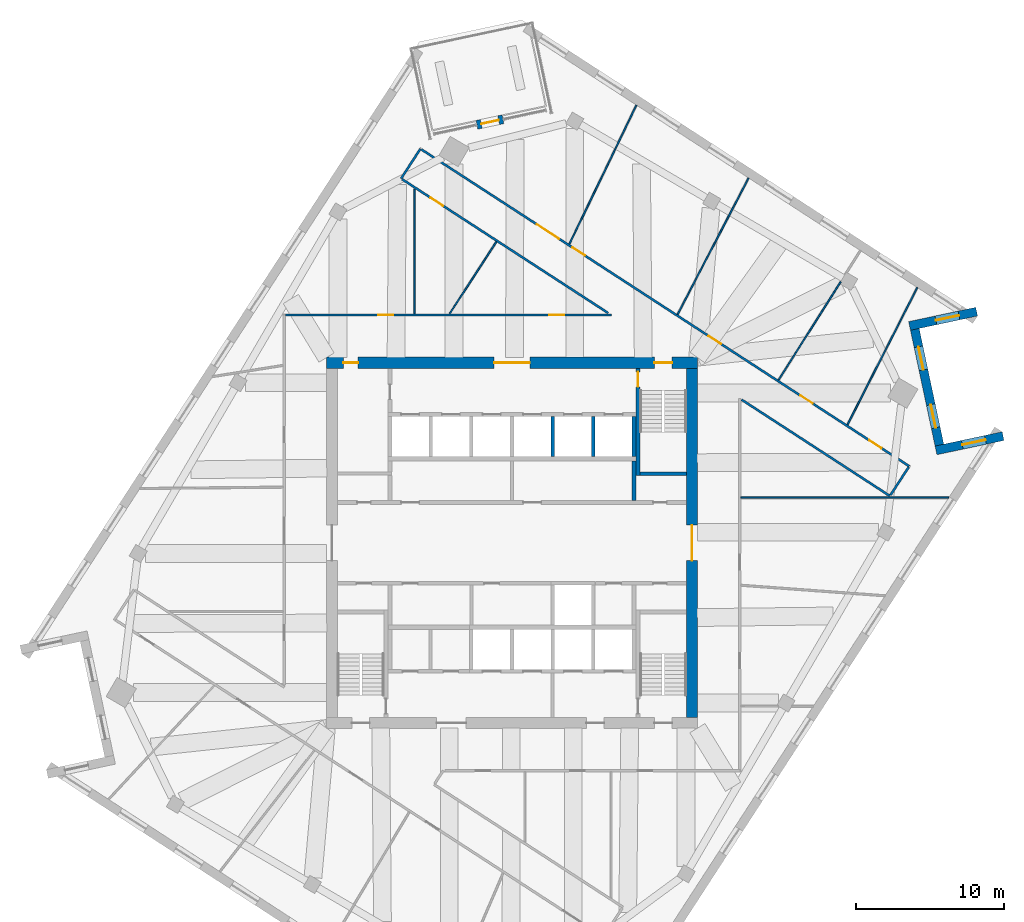
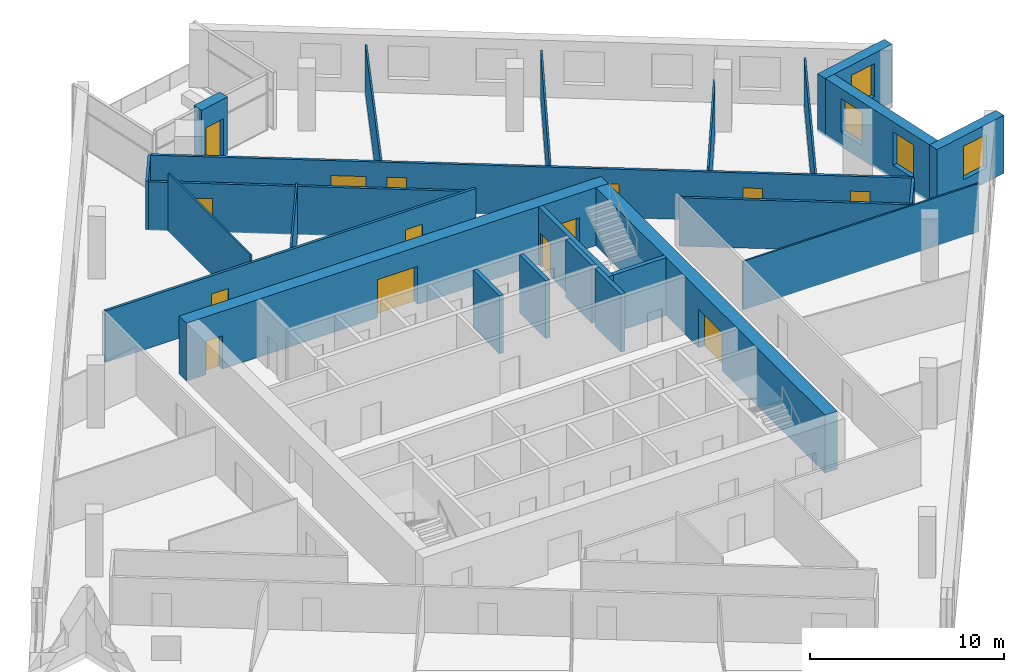
# One storey, part 9 of 12: 25 walls, 14 doors, 4 windows, 18 openings.
"""IFC4 building model written with IfcOpenShell, lengths in metres."""

from ifc_helpers import new_model, si_unit, direction, frame, frame_2d, origin, place, context, subcontext, project, spatial, rectangle, extrude, material, layer, layer_set, type_object, element, fill, save


model = new_model("IFC4")

# Units and contexts
model_context = context("Model", 3, precision=1e-05, world=origin(), true_north=direction((0.0, 1.0)))
body_context = subcontext(model_context, "Body", "Model", "MODEL_VIEW")
ifc_project = project(units=[si_unit("LENGTHUNIT", "METRE"), si_unit("AREAUNIT", "SQUARE_METRE"), si_unit("VOLUMEUNIT", "CUBIC_METRE"), si_unit("PLANEANGLEUNIT", "RADIAN"), si_unit("MASSUNIT", "GRAM", prefix="KILO")], contexts=[model_context])

# Site, building, storey
site_placement = place(None, origin())
site = spatial("IfcSite", under=ifc_project, at=site_placement, CompositionType="ELEMENT")
building_placement = place(site_placement, origin())
building = spatial("IfcBuilding", under=site, at=building_placement, Name="Dilmun Exchange Tower", CompositionType="ELEMENT")
storey_placement = place(building_placement, frame((0.0, 0.0, 254.89990234375)))
storey = spatial("IfcBuildingStorey", under=building, at=storey_placement, Name="L60", CompositionType="ELEMENT", Elevation=254.89990234375)

# Wall
ifc_material_1 = material(Name="Concrete C40/50", Category="concrete")
ifc_layer_1 = layer(ifc_material_1, 0.25)
ifc_layer_set_1 = layer_set([ifc_layer_1], Name="Concrete C40/50")
wall_type_1 = type_object("IfcWallType", Name="Core partition wall 250", PredefinedType="PARTITIONING", material=ifc_layer_set_1)
wall_1_placement = place(storey_placement, frame((8.25, 2.85498046875, 0.0), z_axis=(0.0, 0.0, 1.0), x_axis=(0.0, 1.0, 0.0)))
element("IfcWall", 1, at=wall_1_placement, inside=storey, type_object=wall_type_1, Name="L60 core partition wall 14", PredefinedType="PARTITIONING", context=body_context, shape_type="SweptSolid", body=[
    extrude(rectangle(XDim=2.68994140625, YDim=0.25, at=frame_2d((1.344970703125, 0.0))), origin(), (0.0, 0.0, 1.0), 3.64013671875),
])

# Wall, openings, doors
ifc_material_2 = material(Name="Concrete C50/60", Category="concrete")
ifc_layer_2 = layer(ifc_material_2, 0.75)
ifc_layer_set_2 = layer_set([ifc_layer_2], Name="Concrete C50/60")
wall_type_2 = type_object("IfcWallType", Name="Core shear wall 750 Concrete C50/60", PredefinedType="SHEAR", material=ifc_layer_set_2)
wall_2_placement = place(storey_placement, frame((-12.550048828125, 12.175048828125, 0.0), z_axis=(0.0, 0.0, 1.0), x_axis=(1.0, 0.0, 0.0)))
wall_2 = element("IfcWall", 2, at=wall_2_placement, inside=storey, type_object=wall_type_2, Name="L60 core shear wall N", PredefinedType="SHEAR", context=body_context, shape_type="SweptSolid", body=[
    extrude(rectangle(XDim=25.10009765625, YDim=0.75, at=frame_2d((12.550048828125, 0.0))), origin(), (0.0, 0.0, 1.0), 3.64013671875),
])
opening_1_placement = place(wall_2_placement, frame((11.35009765625, 0.0, 0.0)))
opening_1 = element("IfcOpeningElement", 3, at=opening_1_placement, cuts=wall_2, Name="Opening CD1", PredefinedType="OPENING", context=body_context, shape_type="SweptSolid", body=[
    extrude(rectangle(XDim=2.39990234375, YDim=2.39990234375, at=frame_2d((1.199951171875, 1.199951171875))), frame((0.0, 0.385009765625, 0.0), z_axis=(0.0, -1.0, 0.0), x_axis=(1.0, 0.0, 0.0)), (0.0, 0.0, 1.0), 0.77001953125),
])
opening_2_placement = place(wall_2_placement, frame((22.175048828125, 0.0, 0.0)))
opening_2 = element("IfcOpeningElement", 4, at=opening_2_placement, cuts=wall_2, Name="Opening CD3", PredefinedType="OPENING", context=body_context, shape_type="SweptSolid", body=[
    extrude(rectangle(XDim=1.199951171875, YDim=2.10009765625, at=frame_2d((0.60009765625, 1.050048828125))), frame((0.0, 0.385009765625, 0.0), z_axis=(0.0, -1.0, 0.0), x_axis=(1.0, 0.0, 0.0)), (0.0, 0.0, 1.0), 0.77001953125),
])
opening_3_placement = place(wall_2_placement, frame((1.14990234375, 0.0, 0.0)))
opening_3 = element("IfcOpeningElement", 5, at=opening_3_placement, cuts=wall_2, Name="Opening CD4", PredefinedType="OPENING", context=body_context, shape_type="SweptSolid", body=[
    extrude(rectangle(XDim=1.0, YDim=2.10009765625, at=frame_2d((0.5, 1.050048828125))), frame((0.0, 0.385009765625, 0.0), z_axis=(0.0, -1.0, 0.0), x_axis=(1.0, 0.0, 0.0)), (0.0, 0.0, 1.0), 0.77001953125),
])
ifc_material_3 = material(Name="Fire-rated steel door set", Category="steel")
door_type_1 = type_object("IfcDoorType", Name="Core lobby door 2400x2400", OperationType="DOUBLE_DOOR_DOUBLE_SWING", PredefinedType="DOOR", material=ifc_material_3)
door_1_placement = place(opening_1_placement, origin())
door_1 = element("IfcDoor", 6, at=door_1_placement, inside=storey, type_object=door_type_1, Name="L60 door North lift lobby", OperationType="SINGLE_SWING_LEFT", OverallHeight=2.39990234375, OverallWidth=2.39990234375, PredefinedType="DOOR", context=body_context, shape_type="SweptSolid", body=[
    extrude(rectangle(XDim=2.39990234375, YDim=2.39990234375, at=frame_2d((1.199951171875, 1.199951171875))), frame((0.0, 0.02490234375, 0.0), z_axis=(0.0, -1.0, 0.0), x_axis=(1.0, 0.0, 0.0)), (0.0, 0.0, 1.0), 0.050048828125),
])
fill(opening_1, door_1)
door_type_2 = type_object("IfcDoorType", Name="Core room door 1000x2100", OperationType="SINGLE_SWING_LEFT", PredefinedType="DOOR", material=ifc_material_3)
door_2_placement = place(opening_3_placement, origin())
door_2 = element("IfcDoor", 7, at=door_2_placement, inside=storey, type_object=door_type_2, Name="L60 door North-west core rooms", OperationType="SINGLE_SWING_LEFT", OverallHeight=2.10009765625, OverallWidth=1.0, PredefinedType="DOOR", context=body_context, shape_type="SweptSolid", body=[
    extrude(rectangle(XDim=1.0, YDim=2.10009765625, at=frame_2d((0.5, 1.050048828125))), frame((0.0, 0.02490234375, 0.0), z_axis=(0.0, -1.0, 0.0), x_axis=(1.0, 0.0, 0.0)), (0.0, 0.0, 1.0), 0.050048828125),
])
fill(opening_3, door_2)
door_type_3 = type_object("IfcDoorType", Name="Stair exit door 1200x2100", OperationType="SINGLE_SWING_LEFT", PredefinedType="DOOR", material=ifc_material_3)
door_3_placement = place(opening_2_placement, origin())
door_3 = element("IfcDoor", 8, at=door_3_placement, inside=storey, type_object=door_type_3, Name="L60 door Stair ST1", OperationType="SINGLE_SWING_LEFT", OverallHeight=2.10009765625, OverallWidth=1.199951171875, PredefinedType="DOOR", context=body_context, shape_type="SweptSolid", body=[
    extrude(rectangle(XDim=1.199951171875, YDim=2.10009765625, at=frame_2d((0.60009765625, 1.050048828125))), frame((0.0, 0.02490234375, 0.0), z_axis=(0.0, -1.0, 0.0), x_axis=(1.0, 0.0, 0.0)), (0.0, 0.0, 1.0), 0.050048828125),
])
fill(opening_2, door_3)

# Wall, opening, door
wall_3_placement = place(storey_placement, frame((12.175048828125, -11.800048828125, 0.0), z_axis=(0.0, 0.0, 1.0), x_axis=(0.0, 1.0, 0.0)))
wall_3 = element("IfcWall", 9, at=wall_3_placement, inside=storey, type_object=wall_type_2, Name="L60 core shear wall E", PredefinedType="SHEAR", context=body_context, shape_type="SweptSolid", body=[
    extrude(rectangle(XDim=23.60009765625, YDim=0.75, at=frame_2d((11.800048828125, 0.0))), origin(), (0.0, 0.0, 1.0), 3.64013671875),
])
opening_4_placement = place(wall_3_placement, frame((10.60009765625, 0.0, 0.0)))
opening_4 = element("IfcOpeningElement", 10, at=opening_4_placement, cuts=wall_3, Name="Opening CD1", PredefinedType="OPENING", context=body_context, shape_type="SweptSolid", body=[
    extrude(rectangle(XDim=2.39990234375, YDim=2.39990234375, at=frame_2d((1.199951171875, 1.199951171875))), frame((0.0, 0.385009765625, 0.0), z_axis=(0.0, -1.0, 0.0), x_axis=(1.0, 0.0, 0.0)), (0.0, 0.0, 1.0), 0.77001953125),
])
door_4_placement = place(opening_4_placement, origin())
door_4 = element("IfcDoor", 11, at=door_4_placement, inside=storey, type_object=door_type_1, Name="L60 door Central lift lobby", OperationType="SINGLE_SWING_LEFT", OverallHeight=2.39990234375, OverallWidth=2.39990234375, PredefinedType="DOOR", context=body_context, shape_type="SweptSolid", body=[
    extrude(rectangle(XDim=2.39990234375, YDim=2.39990234375, at=frame_2d((1.199951171875, 1.199951171875))), frame((0.0, 0.02490234375, 0.0), z_axis=(0.0, -1.0, 0.0), x_axis=(1.0, 0.0, 0.0)), (0.0, 0.0, 1.0), 0.050048828125),
])
fill(opening_4, door_4)

# Wall, openings, doors
ifc_material_4 = material(Name="Corridor wall 150")
ifc_layer_3 = layer(ifc_material_4, 0.14990234375)
ifc_layer_set_3 = layer_set([ifc_layer_3], Name="Corridor wall 150")
wall_type_3 = type_object("IfcWallType", Name="Corridor wall 150", PredefinedType="PARTITIONING", material=ifc_layer_set_3)
wall_4_placement = place(storey_placement, frame((-15.324951171875, 15.39990234375, 0.0), z_axis=(0.0, 0.0, 1.0), x_axis=(1.0, 0.0, 0.0)))
wall_4 = element("IfcWall", 12, at=wall_4_placement, inside=storey, type_object=wall_type_3, Name="Corridor wall", PredefinedType="PARTITIONING", context=body_context, shape_type="SweptSolid", body=[
    extrude(rectangle(XDim=22.034912109375, YDim=0.14990234375, at=frame_2d((11.017578125, 0.0))), origin(), (0.0, 0.0, 1.0), 3.239990234375),
])
opening_5_placement = place(wall_4_placement, frame((6.300048828125, 0.0, 0.0)))
opening_5 = element("IfcOpeningElement", 13, at=opening_5_placement, cuts=wall_4, Name="Opening TF60-D09", PredefinedType="OPENING", context=body_context, shape_type="SweptSolid", body=[
    extrude(rectangle(XDim=1.0, YDim=2.10009765625, at=frame_2d((0.5, 1.050048828125))), frame((0.0, 0.0849609375, 0.0), z_axis=(0.0, -1.0, 0.0), x_axis=(1.0, 0.0, 0.0)), (0.0, 0.0, 1.0), 0.169921875),
])
opening_6_placement = place(wall_4_placement, frame((17.850830078125, 0.0, 0.0)))
opening_6 = element("IfcOpeningElement", 14, at=opening_6_placement, cuts=wall_4, Name="Opening TF60-D12", PredefinedType="OPENING", context=body_context, shape_type="SweptSolid", body=[
    extrude(rectangle(XDim=1.0, YDim=2.10009765625, at=frame_2d((0.5, 1.050048828125))), frame((0.0, 0.0849609375, 0.0), z_axis=(0.0, -1.0, 0.0), x_axis=(1.0, 0.0, 0.0)), (0.0, 0.0, 1.0), 0.169921875),
])
ifc_material_5 = material(Name="Fire door 1000 x 2100")
door_type_4 = type_object("IfcDoorType", Name="Fire door 1000 x 2100", OperationType="NOTDEFINED", PredefinedType="DOOR", material=ifc_material_5)
door_5_placement = place(opening_5_placement, origin())
door_5 = element("IfcDoor", 15, at=door_5_placement, inside=storey, type_object=door_type_4, Name="Door TF60-D09", OperationType="SINGLE_SWING_LEFT", OverallHeight=2.10009765625, OverallWidth=1.0, PredefinedType="DOOR", context=body_context, shape_type="SweptSolid", body=[
    extrude(rectangle(XDim=1.0, YDim=2.10009765625, at=frame_2d((0.5, 1.050048828125))), frame((0.0, 0.02490234375, 0.0), z_axis=(0.0, -1.0, 0.0), x_axis=(1.0, 0.0, 0.0)), (0.0, 0.0, 1.0), 0.050048828125),
])
fill(opening_5, door_5)
door_6_placement = place(opening_6_placement, origin())
door_6 = element("IfcDoor", 16, at=door_6_placement, inside=storey, type_object=door_type_4, Name="Door TF60-D12", OperationType="SINGLE_SWING_LEFT", OverallHeight=2.10009765625, OverallWidth=1.0, PredefinedType="DOOR", context=body_context, shape_type="SweptSolid", body=[
    extrude(rectangle(XDim=1.0, YDim=2.10009765625, at=frame_2d((0.5, 1.050048828125))), frame((0.0, 0.02490234375, 0.0), z_axis=(0.0, -1.0, 0.0), x_axis=(1.0, 0.0, 0.0)), (0.0, 0.0, 1.0), 0.050048828125),
])
fill(opening_6, door_6)

# Wall
wall_5_placement = place(storey_placement, frame((-7.4970703125, 24.6259765625, 0.0), z_axis=(0.0, 0.0, 1.0), x_axis=(0.544612876689, 0.838687554781, 0.0)))
element("IfcWall", 17, at=wall_5_placement, inside=storey, type_object=wall_type_3, Name="Corridor wall", PredefinedType="PARTITIONING", context=body_context, shape_type="SweptSolid", body=[
    extrude(rectangle(XDim=2.400146484375, YDim=0.14990234375, at=frame_2d((1.2001953125, 0.0))), origin(), (0.0, 0.0, 1.0), 3.0400390625),
])

# Wall, opening, door
wall_6_placement = place(storey_placement, frame((-7.43408203125, 24.585205078125, 0.0), z_axis=(0.0, 0.0, 1.0), x_axis=(0.838669191056, -0.544641155232, 0.0)))
wall_6 = element("IfcWall", 18, at=wall_6_placement, inside=storey, type_object=wall_type_3, Name="Corridor wall", PredefinedType="PARTITIONING", context=body_context, shape_type="SweptSolid", body=[
    extrude(rectangle(XDim=16.611572265625, YDim=0.14990234375, at=frame_2d((8.3056640625, 0.0))), origin(), (0.0, 0.0, 1.0), 3.0400390625),
])
opening_7_placement = place(wall_6_placement, frame((2.307373046875, 0.0, 0.0)))
opening_7 = element("IfcOpeningElement", 19, at=opening_7_placement, cuts=wall_6, Name="Opening TF60-D10", PredefinedType="OPENING", context=body_context, shape_type="SweptSolid", body=[
    extrude(rectangle(XDim=1.0, YDim=2.10009765625, at=frame_2d((0.5, 1.050048828125))), frame((0.0, 0.0849609375, 0.0), z_axis=(0.0, -1.0, 0.0), x_axis=(1.0, 0.0, 0.0)), (0.0, 0.0, 1.0), 0.169921875),
])
door_7_placement = place(opening_7_placement, frame((1.0, 0.0, 0.0), z_axis=(0.0, 0.0, 1.0), x_axis=(-1.0, 0.0, 0.0)))
door_7 = element("IfcDoor", 20, at=door_7_placement, inside=storey, type_object=door_type_4, Name="Door TF60-D10", OperationType="SINGLE_SWING_RIGHT", OverallHeight=2.10009765625, OverallWidth=1.0, PredefinedType="DOOR", context=body_context, shape_type="SweptSolid", body=[
    extrude(rectangle(XDim=1.0, YDim=2.10009765625, at=frame_2d((0.5, 1.050048828125))), frame((0.0, 0.02490234375, 0.0), z_axis=(0.0, -1.0, 0.0), x_axis=(1.0, 0.0, 0.0)), (0.0, 0.0, 1.0), 0.050048828125),
])
fill(opening_7, door_7)

# Wall, openings, doors
wall_7_placement = place(storey_placement, frame((-6.127197265625, 26.59814453125, 0.0), z_axis=(0.0, 0.0, 1.0), x_axis=(0.838670911559, -0.544638505897, 0.0)))
wall_7 = element("IfcWall", 21, at=wall_7_placement, inside=storey, type_object=wall_type_3, Name="Corridor wall", PredefinedType="PARTITIONING", context=body_context, shape_type="SweptSolid", body=[
    extrude(rectangle(XDim=39.325439453125, YDim=0.14990234375, at=frame_2d((19.66259765625, 0.0))), origin(), (0.0, 0.0, 1.0), 3.0400390625),
])
opening_8_placement = place(wall_7_placement, frame((9.300048828125, 0.0, 0.0)))
opening_8 = element("IfcOpeningElement", 22, at=opening_8_placement, cuts=wall_7, Name="Opening TF60-D08", PredefinedType="OPENING", context=body_context, shape_type="SweptSolid", body=[
    extrude(rectangle(XDim=1.800048828125, YDim=2.10009765625, at=frame_2d((0.89990234375, 1.050048828125))), frame((0.0, 0.0849609375, 0.0), z_axis=(0.0, -1.0, 0.0), x_axis=(1.0, 0.0, 0.0)), (0.0, 0.0, 1.0), 0.169921875),
])
opening_9_placement = place(wall_7_placement, frame((12.184814453125, 0.0, 0.0)))
opening_9 = element("IfcOpeningElement", 23, at=opening_9_placement, cuts=wall_7, Name="Opening TF60-D16", PredefinedType="OPENING", context=body_context, shape_type="SweptSolid", body=[
    extrude(rectangle(XDim=1.0, YDim=2.10009765625, at=frame_2d((0.5, 1.050048828125))), frame((0.0, 0.0849609375, 0.0), z_axis=(0.0, -1.0, 0.0), x_axis=(1.0, 0.0, 0.0)), (0.0, 0.0, 1.0), 0.169921875),
])
opening_10_placement = place(wall_7_placement, frame((23.154541015625, 0.0, 0.0)))
opening_10 = element("IfcOpeningElement", 24, at=opening_10_placement, cuts=wall_7, Name="Opening TF60-D17", PredefinedType="OPENING", context=body_context, shape_type="SweptSolid", body=[
    extrude(rectangle(XDim=1.0, YDim=2.10009765625, at=frame_2d((0.5, 1.050048828125))), frame((0.0, 0.0849609375, 0.0), z_axis=(0.0, -1.0, 0.0), x_axis=(1.0, 0.0, 0.0)), (0.0, 0.0, 1.0), 0.169921875),
])
opening_11_placement = place(wall_7_placement, frame((30.544189453125, 0.0, 0.0)))
opening_11 = element("IfcOpeningElement", 25, at=opening_11_placement, cuts=wall_7, Name="Opening TF60-D20", PredefinedType="OPENING", context=body_context, shape_type="SweptSolid", body=[
    extrude(rectangle(XDim=1.0, YDim=2.10009765625, at=frame_2d((0.5, 1.050048828125))), frame((0.0, 0.0849609375, 0.0), z_axis=(0.0, -1.0, 0.0), x_axis=(1.0, 0.0, 0.0)), (0.0, 0.0, 1.0), 0.169921875),
])
opening_12_placement = place(wall_7_placement, frame((36.098876953125, 0.0, 0.0)))
opening_12 = element("IfcOpeningElement", 26, at=opening_12_placement, cuts=wall_7, Name="Opening TF60-D21", PredefinedType="OPENING", context=body_context, shape_type="SweptSolid", body=[
    extrude(rectangle(XDim=1.0, YDim=2.10009765625, at=frame_2d((0.5, 1.050048828125))), frame((0.0, 0.0849609375, 0.0), z_axis=(0.0, -1.0, 0.0), x_axis=(1.0, 0.0, 0.0)), (0.0, 0.0, 1.0), 0.169921875),
])
door_8_placement = place(opening_9_placement, origin())
door_8 = element("IfcDoor", 27, at=door_8_placement, inside=storey, type_object=door_type_4, Name="Door TF60-D16", OperationType="SINGLE_SWING_RIGHT", OverallHeight=2.10009765625, OverallWidth=1.0, PredefinedType="DOOR", context=body_context, shape_type="SweptSolid", body=[
    extrude(rectangle(XDim=1.0, YDim=2.10009765625, at=frame_2d((0.5, 1.050048828125))), frame((0.0, 0.02490234375, 0.0), z_axis=(0.0, -1.0, 0.0), x_axis=(1.0, 0.0, 0.0)), (0.0, 0.0, 1.0), 0.050048828125),
])
fill(opening_9, door_8)
door_9_placement = place(opening_10_placement, origin())
door_9 = element("IfcDoor", 28, at=door_9_placement, inside=storey, type_object=door_type_4, Name="Door TF60-D17", OperationType="SINGLE_SWING_RIGHT", OverallHeight=2.10009765625, OverallWidth=1.0, PredefinedType="DOOR", context=body_context, shape_type="SweptSolid", body=[
    extrude(rectangle(XDim=1.0, YDim=2.10009765625, at=frame_2d((0.5, 1.050048828125))), frame((0.0, 0.02490234375, 0.0), z_axis=(0.0, -1.0, 0.0), x_axis=(1.0, 0.0, 0.0)), (0.0, 0.0, 1.0), 0.050048828125),
])
fill(opening_10, door_9)
door_10_placement = place(opening_11_placement, origin())
door_10 = element("IfcDoor", 29, at=door_10_placement, inside=storey, type_object=door_type_4, Name="Door TF60-D20", OperationType="SINGLE_SWING_RIGHT", OverallHeight=2.10009765625, OverallWidth=1.0, PredefinedType="DOOR", context=body_context, shape_type="SweptSolid", body=[
    extrude(rectangle(XDim=1.0, YDim=2.10009765625, at=frame_2d((0.5, 1.050048828125))), frame((0.0, 0.02490234375, 0.0), z_axis=(0.0, -1.0, 0.0), x_axis=(1.0, 0.0, 0.0)), (0.0, 0.0, 1.0), 0.050048828125),
])
fill(opening_11, door_10)
door_11_placement = place(opening_12_placement, origin())
door_11 = element("IfcDoor", 30, at=door_11_placement, inside=storey, type_object=door_type_4, Name="Door TF60-D21", OperationType="SINGLE_SWING_RIGHT", OverallHeight=2.10009765625, OverallWidth=1.0, PredefinedType="DOOR", context=body_context, shape_type="SweptSolid", body=[
    extrude(rectangle(XDim=1.0, YDim=2.10009765625, at=frame_2d((0.5, 1.050048828125))), frame((0.0, 0.02490234375, 0.0), z_axis=(0.0, -1.0, 0.0), x_axis=(1.0, 0.0, 0.0)), (0.0, 0.0, 1.0), 0.050048828125),
])
fill(opening_12, door_11)
ifc_material_6 = material(Name="Fire door pair 1800 x 2100")
door_type_5 = type_object("IfcDoorType", Name="Fire door pair 1800 x 2100", OperationType="NOTDEFINED", PredefinedType="DOOR", material=ifc_material_6)
door_12_placement = place(opening_8_placement, origin())
door_12 = element("IfcDoor", 31, at=door_12_placement, inside=storey, type_object=door_type_5, Name="Door TF60-D08", OperationType="DOUBLE_DOOR_SINGLE_SWING", OverallHeight=2.10009765625, OverallWidth=1.800048828125, PredefinedType="DOOR", context=body_context, shape_type="SweptSolid", body=[
    extrude(rectangle(XDim=1.800048828125, YDim=2.10009765625, at=frame_2d((0.89990234375, 1.050048828125))), frame((0.0, 0.02490234375, 0.0), z_axis=(0.0, -1.0, 0.0), x_axis=(1.0, 0.0, 0.0)), (0.0, 0.0, 1.0), 0.050048828125),
])
fill(opening_8, door_12)

# Walls
wall_8_placement = place(storey_placement, frame((15.515869140625, 9.681884765625, 0.0), z_axis=(0.0, 0.0, 1.0), x_axis=(0.838687901934, -0.544612342083, 0.0)))
element("IfcWall", 32, at=wall_8_placement, inside=storey, type_object=wall_type_3, Name="Corridor wall", PredefinedType="PARTITIONING", context=body_context, shape_type="SweptSolid", body=[
    extrude(rectangle(XDim=11.960693359375, YDim=0.14990234375, at=frame_2d((5.98046875, 0.0))), origin(), (0.0, 0.0, 1.0), 3.0400390625),
])
wall_9_placement = place(storey_placement, frame((25.587890625, 3.23095703125, 0.0), z_axis=(0.0, 0.0, 1.0), x_axis=(0.544690717141, 0.838637002916, 0.0)))
element("IfcWall", 33, at=wall_9_placement, inside=storey, type_object=wall_type_3, Name="Corridor wall", PredefinedType="PARTITIONING", context=body_context, shape_type="SweptSolid", body=[
    extrude(rectangle(XDim=2.249267578125, YDim=0.14990234375, at=frame_2d((1.12451171875, 0.0))), origin(), (0.0, 0.0, 1.0), 3.0400390625),
])
ifc_layer_4 = layer(ifc_material_1, 0.25)
ifc_layer_set_4 = layer_set([ifc_layer_4], Name="Concrete C40/50")
wall_type_4 = type_object("IfcWallType", Name="Lift shaft wall 250", PredefinedType="SOLIDWALL", material=ifc_layer_set_4)
for number, where, z_axis, x_axis, name in (
    (34, (2.75, 5.85009765625, 0.0), (0.0, 0.0, 1.0), (0.0, 1.0, 0.0), "L60 lift shaft divider N24"),
    (35, (5.5, 5.85009765625, 0.0), (0.0, 0.0, 1.0), (0.0, 1.0, 0.0), "L60 lift shaft divider N25"),
    (36, (8.25, 5.85009765625, 0.0), (0.0, 0.0, 1.0), (0.0, 1.0, 0.0), "L60 lift shaft divider N26"),
):
    element("IfcWall", number, at=place(storey_placement, frame(where, z_axis=z_axis, x_axis=x_axis)), inside=storey, type_object=wall_type_4, Name=name, PredefinedType="SOLIDWALL", context=body_context, shape_type="SweptSolid", body=[
        extrude(rectangle(XDim=2.699951171875, YDim=0.25, at=frame_2d((1.35009765625, 0.0))), origin(), (0.0, 0.0, 1.0), 3.64013671875),
    ])
ifc_material_7 = material(Name="Partition 100")
ifc_layer_5 = layer(ifc_material_7, 0.10009765625)
ifc_layer_set_5 = layer_set([ifc_layer_5], Name="Partition 100")
wall_type_5 = type_object("IfcWallType", Name="Partition 100", PredefinedType="PARTITIONING", material=ifc_layer_set_5)
wall_10_placement = place(storey_placement, frame((-6.589111328125, 15.47509765625, 0.0), z_axis=(0.0, 0.0, 1.0), x_axis=(0.0, 1.0, 0.0)))
element("IfcWall", 37, at=wall_10_placement, inside=storey, type_object=wall_type_5, Name="Partition", PredefinedType="PARTITIONING", context=body_context, shape_type="SweptSolid", body=[
    extrude(rectangle(XDim=8.43896484375, YDim=0.10009765625, at=frame_2d((4.219482421875, 0.0))), origin(), (0.0, 0.0, 1.0), 3.64013671875),
])
wall_11_placement = place(storey_placement, frame((-4.20751953125, 15.502197265625, 0.0), z_axis=(0.0, 0.0, 1.0), x_axis=(0.54461893606, 0.838683620017, 0.0)))
element("IfcWall", 38, at=wall_11_placement, inside=storey, type_object=wall_type_5, Name="Partition", PredefinedType="PARTITIONING", context=body_context, shape_type="SweptSolid", body=[
    extrude(rectangle(XDim=5.784912109375, YDim=0.10009765625, at=frame_2d((2.892578125, 0.0))), origin(), (0.0, 0.0, 1.0), 3.239990234375),
])
wall_12_placement = place(storey_placement, frame((3.880615234375, 20.19677734375, 0.0), z_axis=(0.0, 0.0, 1.0), x_axis=(0.434320892127, 0.900758215428, 0.0)))
element("IfcWall", 39, at=wall_12_placement, inside=storey, type_object=wall_type_5, Name="Partition", PredefinedType="PARTITIONING", context=body_context, shape_type="SweptSolid", body=[
    extrude(rectangle(XDim=10.4296875, YDim=0.10009765625, at=frame_2d((5.21484375, 0.0))), origin(), (0.0, 0.0, 1.0), 3.0400390625),
])
wall_13_placement = place(storey_placement, frame((11.194091796875, 15.445068359375, 0.0), z_axis=(0.0, 0.0, 1.0), x_axis=(0.461705411455, 0.887033321264, 0.0)))
element("IfcWall", 40, at=wall_13_placement, inside=storey, type_object=wall_type_5, Name="Partition", PredefinedType="PARTITIONING", context=body_context, shape_type="SweptSolid", body=[
    extrude(rectangle(XDim=10.395751953125, YDim=0.10009765625, at=frame_2d((5.19775390625, 0.0))), origin(), (0.0, 0.0, 1.0), 3.0400390625),
])
wall_14_placement = place(storey_placement, frame((15.47509765625, 3.052001953125, 0.0), z_axis=(0.0, 0.0, 1.0), x_axis=(1.0, 0.0, 0.0)))
element("IfcWall", 41, at=wall_14_placement, inside=storey, type_object=wall_type_5, Name="Partition", PredefinedType="PARTITIONING", context=body_context, shape_type="SweptSolid", body=[
    extrude(rectangle(XDim=14.048095703125, YDim=0.10009765625, at=frame_2d((7.02392578125, 0.0))), origin(), (0.0, 0.0, 1.0), 3.0400390625),
])
wall_15_placement = place(storey_placement, frame((18.0205078125, 11.0068359375, 0.0), z_axis=(0.0, 0.0, 1.0), x_axis=(0.53413665333, 0.845398152097, 0.0)))
element("IfcWall", 42, at=wall_15_placement, inside=storey, type_object=wall_type_5, Name="Partition", PredefinedType="PARTITIONING", context=body_context, shape_type="SweptSolid", body=[
    extrude(rectangle(XDim=7.864013671875, YDim=0.10009765625, at=frame_2d((3.93212890625, 0.0))), origin(), (0.0, 0.0, 1.0), 3.239990234375),
])
wall_16_placement = place(storey_placement, frame((22.6787109375, 7.98681640625, 0.0), z_axis=(0.0, 0.0, 1.0), x_axis=(0.453387595121, 0.891313462588, 0.0)))
element("IfcWall", 43, at=wall_16_placement, inside=storey, type_object=wall_type_5, Name="Partition", PredefinedType="PARTITIONING", context=body_context, shape_type="SweptSolid", body=[
    extrude(rectangle(XDim=10.405517578125, YDim=0.10009765625, at=frame_2d((5.20263671875, 0.0))), origin(), (0.0, 0.0, 1.0), 3.0400390625),
])

# Wall, opening, window
ifc_material_8 = material(Name="Precast concrete C50/60", Category="concrete")
ifc_layer_6 = layer(ifc_material_8, 0.60009765625)
ifc_layer_set_6 = layer_set([ifc_layer_6], Name="Precast concrete C50/60")
wall_type_6 = type_object("IfcWallType", Name="Precast stone-clad wall 600", PredefinedType="STANDARD", material=ifc_layer_set_6)
wall_17_placement = place(storey_placement, frame((33.197021484375, 7.214599609375, 0.0), z_axis=(0.0, 0.0, 1.0), x_axis=(-0.978143321118, -0.207931823809, 0.0)))
wall_17 = element("IfcWall", 44, at=wall_17_placement, inside=storey, type_object=wall_type_6, Name="Facade wall L60-12", PredefinedType="STANDARD", context=body_context, shape_type="SweptSolid", body=[
    extrude(rectangle(XDim=4.635498046875, YDim=0.60009765625, at=frame_2d((2.31787109375, 0.0))), origin(), (0.0, 0.0, 1.0), 3.64013671875),
])
opening_13_placement = place(wall_17_placement, frame((1.2177734375, 0.0, 0.89990234375)))
opening_13 = element("IfcOpeningElement", 45, at=opening_13_placement, cuts=wall_17, Name="Opening W160-210", PredefinedType="OPENING", context=body_context, shape_type="SweptSolid", body=[
    extrude(rectangle(XDim=1.60009765625, YDim=2.10009765625, at=frame_2d((0.800048828125, 1.050048828125))), frame((0.0, 0.31005859375, 0.0), z_axis=(0.0, -1.0, 0.0), x_axis=(1.0, 0.0, 0.0)), (0.0, 0.0, 1.0), 0.6201171875),
])
ifc_material_9 = material(Name="Clear low-emissivity glass in aluminium frame", Category="aluminium")
window_type = type_object("IfcWindowType", Name="Punched window 1600 x 2100", PartitioningType="DOUBLE_PANEL_VERTICAL", PredefinedType="WINDOW", material=ifc_material_9)
window_1_placement = place(opening_13_placement, origin())
window_1 = element("IfcWindow", 46, at=window_1_placement, inside=storey, type_object=window_type, Name="Window 13.1", OverallHeight=2.10009765625, OverallWidth=1.60009765625, PartitioningType="SINGLE_PANEL", PredefinedType="WINDOW", context=body_context, shape_type="SweptSolid", body=[
    extrude(rectangle(XDim=1.60009765625, YDim=2.10009765625, at=frame_2d((0.800048828125, 1.050048828125))), frame((0.0, 0.030029296875, 0.0), z_axis=(0.0, -1.0, 0.0), x_axis=(1.0, 0.0, 0.0)), (0.0, 0.0, 1.0), 0.06005859375),
])
fill(opening_13, window_1)

# Wall, openings, windows
wall_18_placement = place(storey_placement, frame((28.893798828125, 6.6064453125, 0.0), z_axis=(0.0, 0.0, 1.0), x_axis=(-0.207886494942, 0.978152955943, 0.0)))
wall_18 = element("IfcWall", 47, at=wall_18_placement, inside=storey, type_object=wall_type_6, Name="Facade wall L60-13", PredefinedType="STANDARD", context=body_context, shape_type="SweptSolid", body=[
    extrude(rectangle(XDim=8.0, YDim=0.60009765625, at=frame_2d((4.0, 0.0))), origin(), (0.0, 0.0, 1.0), 3.64013671875),
])
opening_14_placement = place(wall_18_placement, frame((1.199951171875, 0.0, 0.89990234375)))
opening_14 = element("IfcOpeningElement", 48, at=opening_14_placement, cuts=wall_18, Name="Opening W160-210", PredefinedType="OPENING", context=body_context, shape_type="SweptSolid", body=[
    extrude(rectangle(XDim=1.60009765625, YDim=2.10009765625, at=frame_2d((0.800048828125, 1.050048828125))), frame((0.0, 0.31005859375, 0.0), z_axis=(0.0, -1.0, 0.0), x_axis=(1.0, 0.0, 0.0)), (0.0, 0.0, 1.0), 0.6201171875),
])
opening_15_placement = place(wall_18_placement, frame((5.199951171875, 0.0, 0.89990234375)))
opening_15 = element("IfcOpeningElement", 49, at=opening_15_placement, cuts=wall_18, Name="Opening W160-210", PredefinedType="OPENING", context=body_context, shape_type="SweptSolid", body=[
    extrude(rectangle(XDim=1.60009765625, YDim=2.10009765625, at=frame_2d((0.800048828125, 1.050048828125))), frame((0.0, 0.31005859375, 0.0), z_axis=(0.0, -1.0, 0.0), x_axis=(1.0, 0.0, 0.0)), (0.0, 0.0, 1.0), 0.6201171875),
])
window_2_placement = place(opening_14_placement, origin())
window_2 = element("IfcWindow", 50, at=window_2_placement, inside=storey, type_object=window_type, Name="Window 14.1", OverallHeight=2.10009765625, OverallWidth=1.60009765625, PartitioningType="SINGLE_PANEL", PredefinedType="WINDOW", context=body_context, shape_type="SweptSolid", body=[
    extrude(rectangle(XDim=1.60009765625, YDim=2.10009765625, at=frame_2d((0.800048828125, 1.050048828125))), frame((0.0, 0.030029296875, 0.0), z_axis=(0.0, -1.0, 0.0), x_axis=(1.0, 0.0, 0.0)), (0.0, 0.0, 1.0), 0.06005859375),
])
fill(opening_14, window_2)
window_3_placement = place(opening_15_placement, origin())
window_3 = element("IfcWindow", 51, at=window_3_placement, inside=storey, type_object=window_type, Name="Window 14.2", OverallHeight=2.10009765625, OverallWidth=1.60009765625, PartitioningType="SINGLE_PANEL", PredefinedType="WINDOW", context=body_context, shape_type="SweptSolid", body=[
    extrude(rectangle(XDim=1.60009765625, YDim=2.10009765625, at=frame_2d((0.800048828125, 1.050048828125))), frame((0.0, 0.030029296875, 0.0), z_axis=(0.0, -1.0, 0.0), x_axis=(1.0, 0.0, 0.0)), (0.0, 0.0, 1.0), 0.06005859375),
])
fill(opening_15, window_3)

# Wall, opening, window
wall_19_placement = place(storey_placement, frame((26.874755859375, 14.662841796875, 0.0), z_axis=(0.0, 0.0, 1.0), x_axis=(0.978145598061, 0.207921112429, 0.0)))
wall_19 = element("IfcWall", 52, at=wall_19_placement, inside=storey, type_object=wall_type_6, Name="Facade wall L60-14", PredefinedType="STANDARD", context=body_context, shape_type="SweptSolid", body=[
    extrude(rectangle(XDim=4.6357421875, YDim=0.60009765625, at=frame_2d((2.31787109375, 0.0))), origin(), (0.0, 0.0, 1.0), 3.64013671875),
])
opening_16_placement = place(wall_19_placement, frame((1.81787109375, 0.0, 0.89990234375)))
opening_16 = element("IfcOpeningElement", 53, at=opening_16_placement, cuts=wall_19, Name="Opening W160-210", PredefinedType="OPENING", context=body_context, shape_type="SweptSolid", body=[
    extrude(rectangle(XDim=1.60009765625, YDim=2.10009765625, at=frame_2d((0.800048828125, 1.050048828125))), frame((0.0, 0.31005859375, 0.0), z_axis=(0.0, -1.0, 0.0), x_axis=(1.0, 0.0, 0.0)), (0.0, 0.0, 1.0), 0.6201171875),
])
window_4_placement = place(opening_16_placement, origin())
window_4 = element("IfcWindow", 54, at=window_4_placement, inside=storey, type_object=window_type, Name="Window 15.1", OverallHeight=2.10009765625, OverallWidth=1.60009765625, PartitioningType="SINGLE_PANEL", PredefinedType="WINDOW", context=body_context, shape_type="SweptSolid", body=[
    extrude(rectangle(XDim=1.60009765625, YDim=2.10009765625, at=frame_2d((0.800048828125, 1.050048828125))), frame((0.0, 0.030029296875, 0.0), z_axis=(0.0, -1.0, 0.0), x_axis=(1.0, 0.0, 0.0)), (0.0, 0.0, 1.0), 0.06005859375),
])
fill(opening_16, window_4)

# Wall, opening, door
wall_20_placement = place(storey_placement, frame((-0.612060546875, 28.634521484375, 0.0), z_axis=(0.0, 0.0, 1.0), x_axis=(-0.978146440129, -0.207917150959, 0.0)))
wall_20 = element("IfcWall", 55, at=wall_20_placement, inside=storey, type_object=wall_type_6, Name="Facade wall L60-01-D", PredefinedType="STANDARD", context=body_context, shape_type="SweptSolid", body=[
    extrude(rectangle(XDim=1.800048828125, YDim=0.60009765625, at=frame_2d((0.89990234375, 0.0))), origin(), (0.0, 0.0, 1.0), 3.64013671875),
])
opening_17_placement = place(wall_20_placement, frame((0.300048828125, 0.0, 0.0)))
opening_17 = element("IfcOpeningElement", 56, at=opening_17_placement, cuts=wall_20, Name="Opening GD-1", PredefinedType="OPENING", context=body_context, shape_type="SweptSolid", body=[
    extrude(rectangle(XDim=1.199951171875, YDim=2.39990234375, at=frame_2d((0.60009765625, 1.199951171875))), frame((0.0, 0.31005859375, 0.0), z_axis=(0.0, -1.0, 0.0), x_axis=(1.0, 0.0, 0.0)), (0.0, 0.0, 1.0), 0.6201171875),
])
door_type_6 = type_object("IfcDoorType", Name="Glazed garden door 1200 x 2400", OperationType="SINGLE_SWING_LEFT", PredefinedType="DOOR", material=ifc_material_9)
door_13_placement = place(opening_17_placement, origin())
door_13 = element("IfcDoor", 57, at=door_13_placement, inside=storey, type_object=door_type_6, Name="Garden terrace door", OperationType="SINGLE_SWING_LEFT", OverallHeight=2.39990234375, OverallWidth=1.199951171875, PredefinedType="DOOR", context=body_context, shape_type="SweptSolid", body=[
    extrude(rectangle(XDim=1.199951171875, YDim=2.39990234375, at=frame_2d((0.60009765625, 1.199951171875))), frame((0.0, 0.02490234375, 0.0), z_axis=(0.0, -1.0, 0.0), x_axis=(1.0, 0.0, 0.0)), (0.0, 0.0, 1.0), 0.050048828125),
])
fill(opening_17, door_13)

# Wall
ifc_layer_7 = layer(ifc_material_1, 0.25)
ifc_layer_set_7 = layer_set([ifc_layer_7], Name="Concrete C40/50")
wall_type_7 = type_object("IfcWallType", Name="Stair end wall 250", PredefinedType="SOLIDWALL", material=ifc_layer_set_7)
wall_21_placement = place(storey_placement, frame((8.64990234375, 4.675048828125, 0.0), z_axis=(0.0, 0.0, 1.0), x_axis=(1.0, 0.0, 0.0)))
element("IfcWall", 58, at=wall_21_placement, inside=storey, type_object=wall_type_7, Name="L60 ST1 far wall", PredefinedType="SOLIDWALL", context=body_context, shape_type="SweptSolid", body=[
    extrude(rectangle(XDim=3.150146484375, YDim=0.25, at=frame_2d((1.5751953125, 0.0))), origin(), (0.0, 0.0, 1.0), 3.64013671875),
])

# Wall, opening, door
ifc_layer_8 = layer(ifc_material_1, 0.27490234375)
ifc_layer_set_8 = layer_set([ifc_layer_8], Name="Concrete C40/50")
wall_type_8 = type_object("IfcWallType", Name="Stair wall 275", PredefinedType="SOLIDWALL", material=ifc_layer_set_8)
wall_22_placement = place(storey_placement, frame((8.512451171875, 4.550048828125, 0.0), z_axis=(0.0, 0.0, 1.0), x_axis=(0.0, 1.0, 0.0)))
wall_22 = element("IfcWall", 59, at=wall_22_placement, inside=storey, type_object=wall_type_8, Name="L60 ST1 wall to lift block", PredefinedType="SOLIDWALL", context=body_context, shape_type="SweptSolid", body=[
    extrude(rectangle(XDim=7.25, YDim=0.27490234375, at=frame_2d((3.625, 0.0))), origin(), (0.0, 0.0, 1.0), 3.64013671875),
])
opening_18_placement = place(wall_22_placement, frame((6.0, 0.0, 0.0)))
opening_18 = element("IfcOpeningElement", 60, at=opening_18_placement, cuts=wall_22, Name="Opening CD4", PredefinedType="OPENING", context=body_context, shape_type="SweptSolid", body=[
    extrude(rectangle(XDim=1.0, YDim=2.10009765625, at=frame_2d((0.5, 1.050048828125))), frame((0.0, 0.1474609375, 0.0), z_axis=(0.0, -1.0, 0.0), x_axis=(1.0, 0.0, 0.0)), (0.0, 0.0, 1.0), 0.294921875),
])
door_14_placement = place(opening_18_placement, origin())
door_14 = element("IfcDoor", 61, at=door_14_placement, inside=storey, type_object=door_type_2, Name="L60 door ST1 from lobby", OperationType="SINGLE_SWING_LEFT", OverallHeight=2.10009765625, OverallWidth=1.0, PredefinedType="DOOR", context=body_context, shape_type="SweptSolid", body=[
    extrude(rectangle(XDim=1.0, YDim=2.10009765625, at=frame_2d((0.5, 1.050048828125))), frame((0.0, 0.02490234375, 0.0), z_axis=(0.0, -1.0, 0.0), x_axis=(1.0, 0.0, 0.0)), (0.0, 0.0, 1.0), 0.050048828125),
])
fill(opening_18, door_14)

save(model, "model.ifc")
